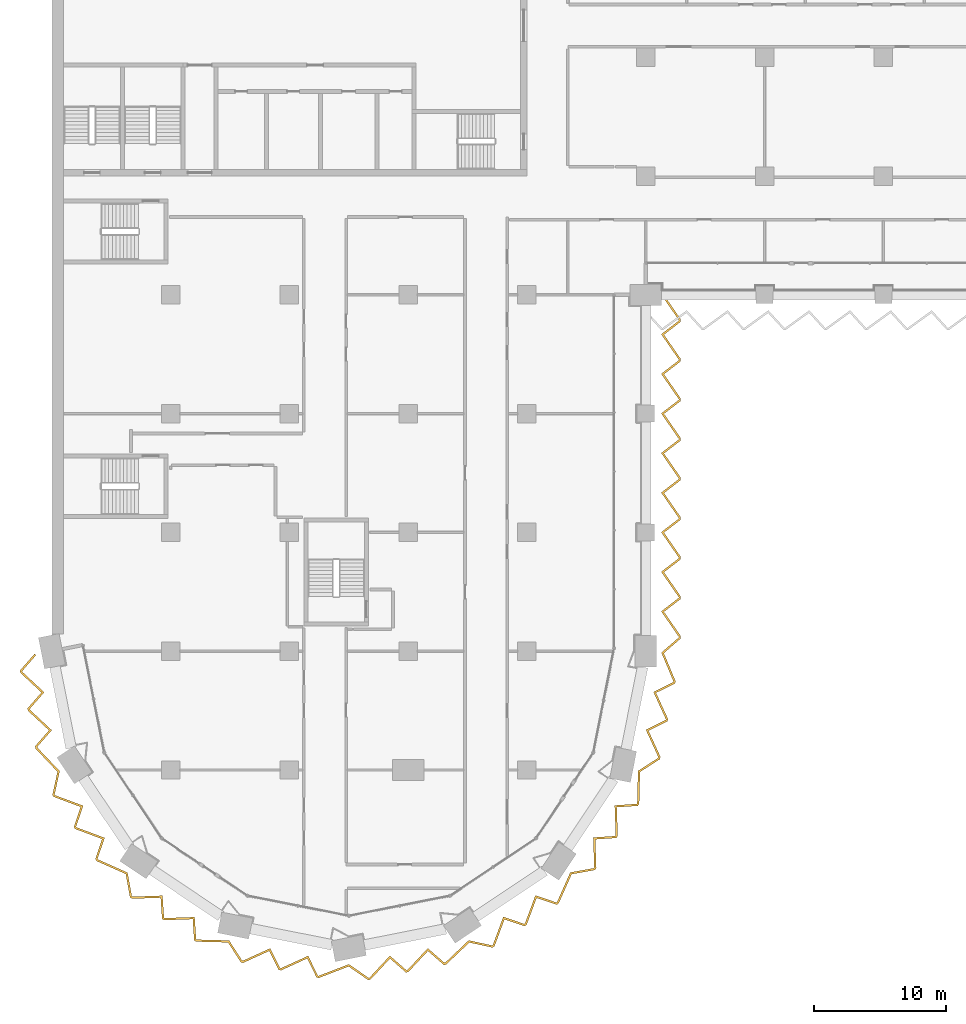
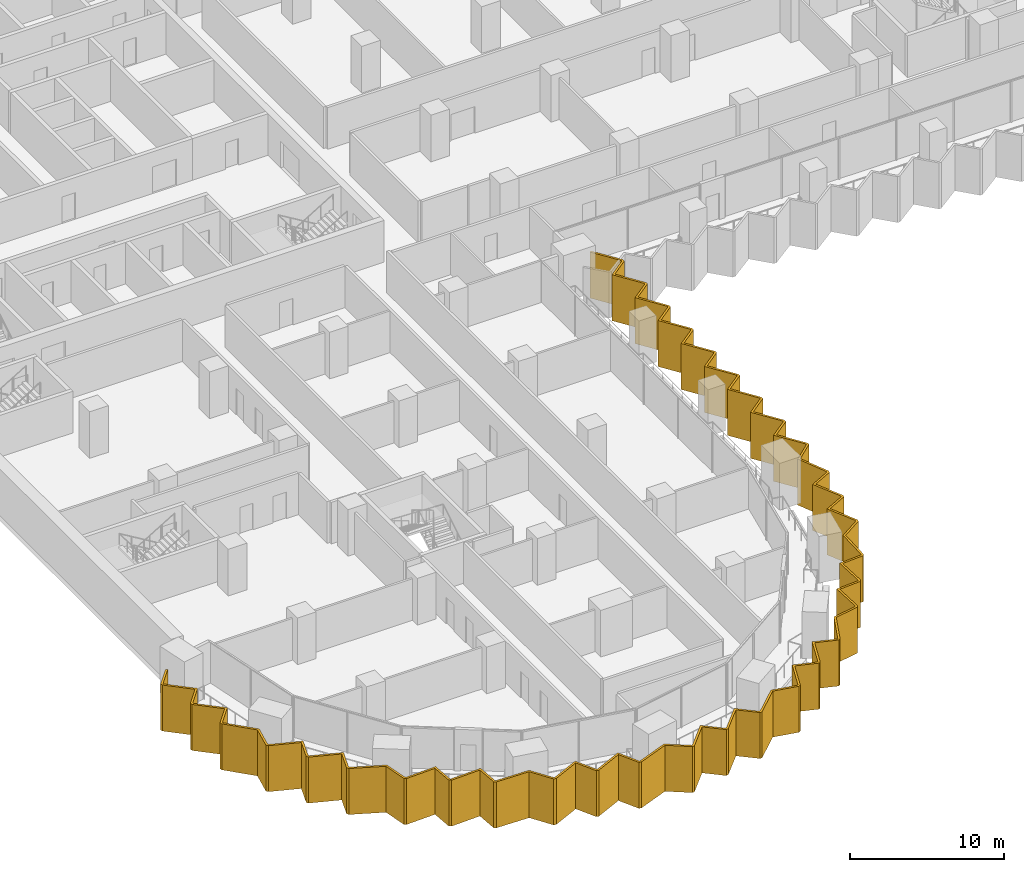
# One storey, part 24 of 29: 1 shading device.
"""IFC4 building model written with IfcOpenShell, lengths in metres."""

from ifc_helpers import new_model, si_unit, direction, frame, origin, place, context, subcontext, project, spatial, polyline, outline, extrude, material, layer, layer_set, type_object, element, save


model = new_model("IFC4")

# Units and contexts
model_context = context("Model", 3, precision=1e-05, world=origin(), true_north=direction((0.0, 1.0)))
body_context = subcontext(model_context, "Body", "Model", "MODEL_VIEW")
ifc_project = project(units=[si_unit("LENGTHUNIT", "METRE"), si_unit("AREAUNIT", "SQUARE_METRE"), si_unit("VOLUMEUNIT", "CUBIC_METRE"), si_unit("PLANEANGLEUNIT", "RADIAN"), si_unit("MASSUNIT", "GRAM", prefix="KILO")], contexts=[model_context])

# Site, building, storey
site_placement = place(None, origin())
site = spatial("IfcSite", under=ifc_project, at=site_placement, CompositionType="ELEMENT")
building_placement = place(site_placement, origin())
building = spatial("IfcBuilding", under=site, at=building_placement, Name="Hunhe Ridgeline Campus", CompositionType="ELEMENT")
storey_placement = place(building_placement, frame((0.0, 0.0, 46.89990234375)))
storey = spatial("IfcBuildingStorey", under=building, at=storey_placement, Name="L10", CompositionType="ELEMENT", Elevation=46.89990234375)

# Shading device
ifc_material = material(Name="Concrete C50", Category="concrete")
ifc_layer = layer(ifc_material, 0.14990234375)
ifc_layer_set = layer_set([ifc_layer], Name="Sawtooth concrete fin 150 Concrete C50")
shading_device_type = type_object("IfcShadingDeviceType", Name="Sawtooth concrete fin 150 Concrete C50", PredefinedType="USERDEFINED", material=ifc_layer_set)
shading_device_placement = place(storey_placement, frame((0.0, 0.0, -0.949951171875)))
element("IfcShadingDevice", 1, at=shading_device_placement, inside=storey, type_object=shading_device_type, Name="Concrete fin screen 1", ObjectType="FIN", PredefinedType="USERDEFINED", context=body_context, shape_type="SweptSolid", body=[
    extrude(outline(polyline([(-1.194091796875, 26.701904296875), (-1.306884765625, 26.800537109375), (-2.410888671875, 25.536376953125), (-2.37548828125, 25.35888671875), (-0.783935546875, 23.875732421875), (-1.83984375, 22.666259765625), (-1.804443359375, 22.48876953125), (-0.212890625, 21.005615234375), (-1.26904296875, 19.796142578125), (-1.234130859375, 19.62109375), (0.429931640625, 17.869140625), (0.04833984375, 16.110595703125), (0.146240234375, 15.96435546875), (2.18408203125, 15.203125), (1.67138671875, 13.681640625), (1.77197265625, 13.531005859375), (3.809814453125, 12.77001953125), (3.297119140625, 11.24853515625), (3.396240234375, 11.10009765625), (5.604248046875, 10.118408203125), (5.924560546875, 8.34765625), (6.07080078125, 8.25), (8.2451171875, 8.32666015625), (8.353515625, 6.724609375), (8.504150390625, 6.6240234375), (10.67822265625, 6.700927734375), (10.78662109375, 5.098876953125), (10.93505859375, 4.999755859375), (13.3505859375, 4.937744140625), (14.32421875, 3.42431640625), (14.496826171875, 3.389892578125), (16.47607421875, 4.29296875), (17.189453125, 2.8544921875), (17.366943359375, 2.819091796875), (19.34619140625, 3.721923828125), (20.0595703125, 2.283447265625), (20.234619140625, 2.248779296875), (22.489990234375, 3.11572265625), (23.968505859375, 2.090087890625), (24.14111328125, 2.12451171875), (25.624267578125, 3.716064453125), (26.833740234375, 2.66015625), (27.01123046875, 2.695556640625), (28.494384765625, 4.287109375), (29.703857421875, 3.23095703125), (29.87890625, 3.265869140625), (31.630859375, 4.929931640625), (33.389404296875, 4.54833984375), (33.53564453125, 4.646240234375), (34.296875, 6.68408203125), (35.818359375, 6.17138671875), (35.968994140625, 6.27197265625), (36.72998046875, 8.309814453125), (38.25146484375, 7.797119140625), (38.39990234375, 7.896240234375), (39.381591796875, 10.104248046875), (41.15234375, 10.424560546875), (41.25, 10.57080078125), (41.17333984375, 12.7451171875), (42.775390625, 12.853515625), (42.8759765625, 13.004150390625), (42.799072265625, 15.17822265625), (44.401123046875, 15.28662109375), (44.500244140625, 15.43505859375), (44.562255859375, 17.8505859375), (46.07568359375, 18.82421875), (46.110107421875, 18.996826171875), (45.20703125, 20.97607421875), (46.6455078125, 21.689453125), (46.680908203125, 21.866943359375), (45.778076171875, 23.84619140625), (47.216552734375, 24.5595703125), (47.25146484375, 24.73583984375), (46.365234375, 26.853271484375), (47.64990234375, 27.9677734375), (47.64990234375, 28.1455078125), (46.377197265625, 29.984130859375), (47.64990234375, 30.965087890625), (47.64990234375, 31.1455078125), (46.377197265625, 32.984130859375), (47.64990234375, 33.965087890625), (47.64990234375, 34.1455078125), (46.377197265625, 35.984130859375), (47.64990234375, 36.965087890625), (47.64990234375, 37.1455078125), (46.377197265625, 38.984130859375), (47.64990234375, 39.965087890625), (47.64990234375, 40.1455078125), (46.377197265625, 41.984130859375), (47.64990234375, 42.965087890625), (47.64990234375, 43.1455078125), (46.377197265625, 44.984130859375), (47.64990234375, 45.965087890625), (47.64990234375, 46.1455078125), (46.377197265625, 47.984130859375), (47.64990234375, 48.965087890625), (47.64990234375, 49.1455078125), (46.377197265625, 50.984130859375), (47.64990234375, 51.965087890625), (47.64990234375, 52.1455078125), (46.336669921875, 54.042724609375), (46.21337890625, 53.957275390625), (47.5, 52.0986328125), (47.5, 52.038818359375), (46.1728515625, 51.015869140625), (47.5, 49.0986328125), (47.5, 49.038818359375), (46.1728515625, 48.015869140625), (47.5, 46.0986328125), (47.5, 46.038818359375), (46.1728515625, 45.015869140625), (47.5, 43.0986328125), (47.5, 43.038818359375), (46.1728515625, 42.015869140625), (47.5, 40.0986328125), (47.5, 40.038818359375), (46.1728515625, 39.015869140625), (47.5, 37.0986328125), (47.5, 37.038818359375), (46.1728515625, 36.015869140625), (47.5, 34.0986328125), (47.5, 34.038818359375), (46.1728515625, 33.015869140625), (47.5, 31.0986328125), (47.5, 31.038818359375), (46.1728515625, 30.015869140625), (47.5, 28.0986328125), (47.5, 28.036376953125), (46.184814453125, 26.8955078125), (47.095458984375, 24.72021484375), (47.083740234375, 24.6611328125), (45.581298828125, 23.916015625), (46.5244140625, 21.848876953125), (46.512939453125, 21.791015625), (45.01025390625, 21.0458984375), (45.953369140625, 18.978515625), (45.94091796875, 18.916015625), (44.414306640625, 17.933837890625), (44.3515625, 15.482421875), (44.3173828125, 15.431396484375), (42.64404296875, 15.318115234375), (42.724365234375, 13.047119140625), (42.691650390625, 12.998291015625), (41.018310546875, 12.884765625), (41.098388671875, 10.614013671875), (41.06298828125, 10.560791015625), (39.276611328125, 10.237548828125), (38.280517578125, 7.996826171875), (38.2294921875, 7.962890625), (36.64013671875, 8.49853515625), (35.84521484375, 6.369873046875), (35.79638671875, 6.3369140625), (34.20703125, 6.87255859375), (33.412109375, 4.743896484375), (33.35888671875, 4.70849609375), (31.5849609375, 5.093505859375), (29.80712890625, 3.404541015625), (29.746826171875, 3.392578125), (28.483642578125, 4.49560546875), (26.9345703125, 2.8330078125), (26.876708984375, 2.821533203125), (25.613525390625, 3.924560546875), (24.064453125, 2.26220703125), (24.001708984375, 2.249755859375), (22.510009765625, 3.2841796875), (20.221435546875, 2.404296875), (20.1611328125, 2.416259765625), (19.416015625, 3.918701171875), (17.348876953125, 2.9755859375), (17.291015625, 2.987060546875), (16.5458984375, 4.48974609375), (14.478515625, 3.546630859375), (14.416015625, 3.55908203125), (13.433837890625, 5.085693359375), (10.982421875, 5.1484375), (10.931396484375, 5.1826171875), (10.818115234375, 6.85595703125), (8.547119140625, 6.775634765625), (8.498291015625, 6.808349609375), (8.384765625, 8.481689453125), (6.114013671875, 8.401611328125), (6.060791015625, 8.43701171875), (5.737548828125, 10.223388671875), (3.496826171875, 11.219482421875), (3.462890625, 11.2705078125), (3.99853515625, 12.85986328125), (1.869873046875, 13.65478515625), (1.8369140625, 13.70361328125), (2.37255859375, 15.29296875), (0.243896484375, 16.087890625), (0.20849609375, 16.14111328125), (0.593505859375, 17.9150390625), (-1.095458984375, 19.69287109375), (-1.107421875, 19.753173828125), (-0.00439453125, 21.016357421875), (-1.6669921875, 22.5654296875), (-1.678466796875, 22.623291015625), (-0.575439453125, 23.886474609375), (-2.23779296875, 25.435546875), (-2.249267578125, 25.493408203125), (-1.194091796875, 26.701904296875)])), origin(), (0.0, 0.0, 1.0), 3.650146484375),
])

save(model, "model.ifc")
